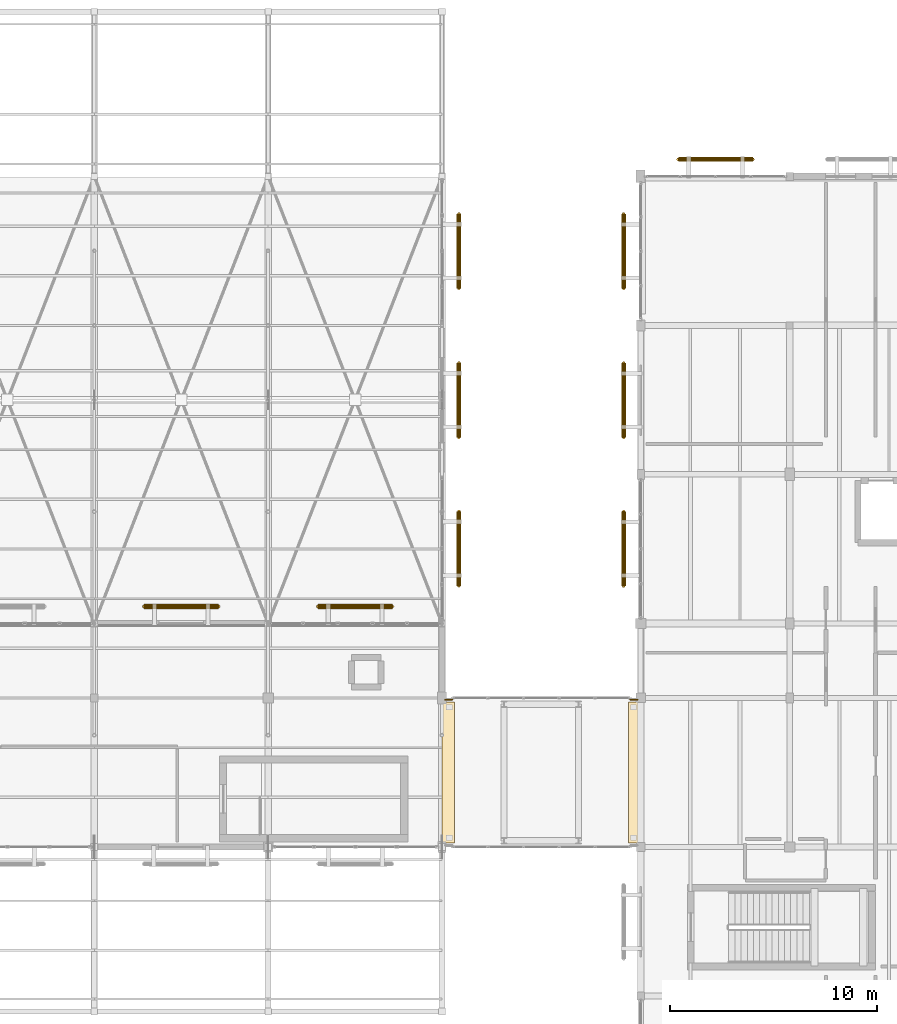
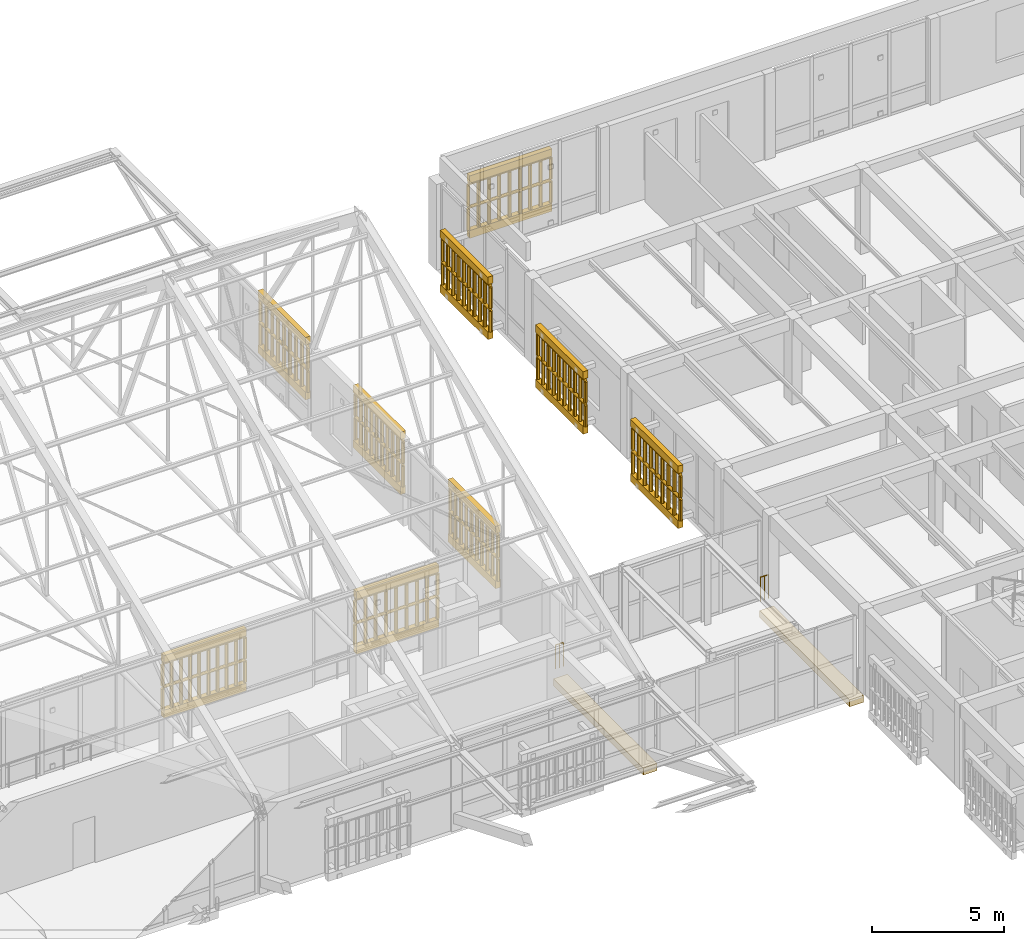
# One storey, part 209 of 217: 20 coverings, 20 railings.
"""IFC4 building model written with IfcOpenShell, lengths in metres."""

from ifc_helpers import new_model, si_unit, direction, frame, origin, origin_2d, place, context, subcontext, project, spatial, polyline, circle, outline, extrude, material, layer, layer_set, type_object, element, save


model = new_model("IFC4")

# Units and contexts
model_context = context("Model", 3, precision=1e-05, world=origin(), true_north=direction((0.0, 1.0)))
body_context = subcontext(model_context, "Body", "Model", "MODEL_VIEW")
ifc_project = project(units=[si_unit("LENGTHUNIT", "METRE"), si_unit("AREAUNIT", "SQUARE_METRE"), si_unit("VOLUMEUNIT", "CUBIC_METRE"), si_unit("PLANEANGLEUNIT", "RADIAN"), si_unit("MASSUNIT", "GRAM", prefix="KILO")], contexts=[model_context])

# Site, building, storey
site_placement = place(None, origin())
site = spatial("IfcSite", under=ifc_project, at=site_placement, CompositionType="ELEMENT")
building_placement = place(site_placement, origin())
building = spatial("IfcBuilding", under=site, at=building_placement, Name="Mazaris Harbour Polytechnic", CompositionType="ELEMENT")
storey_placement = place(building_placement, frame((0.0, 0.0, 9.60009765625)))
storey = spatial("IfcBuildingStorey", under=building, at=storey_placement, Name="L02", CompositionType="ELEMENT", Elevation=9.60009765625)

# Coverings
ifc_material_1 = material(Name="Concrete C40/50", Category="concrete")
ifc_layer_1 = layer(ifc_material_1, 0.320068359375, Name="Concrete C40/50")
ifc_layer_set_1 = layer_set([ifc_layer_1], Name="Concrete C40/50")
covering_type_1 = type_object("IfcCoveringType", Name="Bridge Bearing Corbel 600 Exterior", PredefinedType="CLADDING", material=ifc_layer_set_1)
covering_1_placement = place(storey_placement, frame((0.0, 0.0, -0.650146484375)))
element("IfcCovering", 1, at=covering_1_placement, inside=storey, type_object=covering_type_1, Name="PB-E2 L02 600mm Bridge Bearing Seat Corbel W", PredefinedType="CLADDING", context=body_context, shape_type="SweptSolid", body=[
    extrude(outline(polyline([(112.800048828125, 75.800048828125), (113.39990234375, 75.800048828125), (113.39990234375, 82.60009765625), (112.800048828125, 82.60009765625), (112.800048828125, 75.800048828125)])), origin(), (0.0, 0.0, 1.0), 0.320068359375),
])
covering_2_placement = place(storey_placement, frame((0.0, 0.0, -0.650146484375)))
element("IfcCovering", 2, at=covering_2_placement, inside=storey, type_object=covering_type_1, Name="PB-E2 L02 600mm Bridge Bearing Seat Corbel E", PredefinedType="CLADDING", context=body_context, shape_type="SweptSolid", body=[
    extrude(outline(polyline([(121.800048828125, 75.800048828125), (122.39990234375, 75.800048828125), (122.39990234375, 82.60009765625), (121.800048828125, 82.60009765625), (121.800048828125, 75.800048828125)])), origin(), (0.0, 0.0, 1.0), 0.320068359375),
])

# Railings
ifc_material_2 = material(Name="Steel S355", Category="steel")
railing_type_1 = type_object("IfcRailingType", Name="Mezzanine Steel Guardrail 1100 Exterior", PredefinedType="GUARDRAIL", material=ifc_material_2)
for number, where, name in (
    (3, (112.949951171875, 82.719970703125, 0.0), "PB-E2 L02 Bridge End Guard W1"),
    (4, (121.89990234375, 82.719970703125, 0.0), "PB-E2 L02 Bridge End Guard E1"),
):
    element("IfcRailing", number, at=place(storey_placement, frame(where)), inside=storey, type_object=railing_type_1, Name=name, PredefinedType="GUARDRAIL", context=body_context, shape_type="SweptSolid", body=[
        extrude(circle(Radius=0.02392578125, at=origin_2d()), frame((0.0, 0.0, 1.09619140625), z_axis=(1.0, 0.0, 0.0), x_axis=(0.0, 1.0, 0.0)), (0.0, 0.0, 1.0), 0.35009765625),
        extrude(circle(Radius=0.02099609375, at=origin_2d()), origin(), (0.0, 0.0, 1.0), 1.072021484375),
        extrude(circle(Radius=0.02099609375, at=origin_2d()), frame((0.175048828125, 0.0, 0.0)), (0.0, 0.0, 1.0), 1.072021484375),
        extrude(circle(Radius=0.02099609375, at=origin_2d()), frame((0.35009765625, 0.0, 0.0)), (0.0, 0.0, 1.0), 1.072021484375),
    ])
ifc_material_3 = material(Name="Perforated Earth-Coloured Terracotta Block", Category="masonry")
railing_type_2 = type_object("IfcRailingType", Name="Perforated Earth-Block Claustra Lattice 1040", PredefinedType="BALUSTRADE", material=ifc_material_3)
for number, where, name in (
    (5, (98.39990234375, 87.219970703125, 0.52001953125), "V1 L02 Lower Perforated Terracotta Block Screen 35"),
    (6, (98.39990234375, 87.219970703125, 1.60986328125), "V1 L02 Upper Perforated Terracotta Block Screen 35"),
):
    element("IfcRailing", number, at=place(storey_placement, frame(where)), inside=storey, type_object=railing_type_2, Name=name, PredefinedType="BALUSTRADE", context=body_context, shape_type="SweptSolid", body=[
        extrude(circle(Radius=0.06982421875, at=origin_2d()), frame((0.0, 0.0, 1.02001953125), z_axis=(1.0, 0.0, 0.0), x_axis=(0.0, 1.0, 0.0)), (0.0, 0.0, 1.0), 3.60009765625),
        extrude(circle(Radius=0.074951171875, at=origin_2d()), origin(), (0.0, 0.0, 1.0), 0.9501953125),
        extrude(circle(Radius=0.074951171875, at=origin_2d()), frame((0.39990234375, 0.0, 0.0)), (0.0, 0.0, 1.0), 0.9501953125),
        extrude(circle(Radius=0.074951171875, at=origin_2d()), frame((0.800048828125, 0.0, 0.0)), (0.0, 0.0, 1.0), 0.9501953125),
        extrude(circle(Radius=0.074951171875, at=origin_2d()), frame((1.199951171875, 0.0, 0.0)), (0.0, 0.0, 1.0), 0.9501953125),
        extrude(circle(Radius=0.074951171875, at=origin_2d()), frame((1.60009765625, 0.0, 0.0)), (0.0, 0.0, 1.0), 0.9501953125),
        extrude(circle(Radius=0.074951171875, at=origin_2d()), frame((2.0, 0.0, 0.0)), (0.0, 0.0, 1.0), 0.9501953125),
        extrude(circle(Radius=0.074951171875, at=origin_2d()), frame((2.400146484375, 0.0, 0.0)), (0.0, 0.0, 1.0), 0.9501953125),
        extrude(circle(Radius=0.074951171875, at=origin_2d()), frame((2.800048828125, 0.0, 0.0)), (0.0, 0.0, 1.0), 0.9501953125),
        extrude(circle(Radius=0.074951171875, at=origin_2d()), frame((3.2001953125, 0.0, 0.0)), (0.0, 0.0, 1.0), 0.9501953125),
        extrude(circle(Radius=0.074951171875, at=origin_2d()), frame((3.60009765625, 0.0, 0.0)), (0.0, 0.0, 1.0), 0.9501953125),
    ])
for number, where, name in (
    (7, (106.800048828125, 87.219970703125, 0.52001953125), "V1 L02 Lower Perforated Terracotta Block Screen 36"),
    (8, (106.800048828125, 87.219970703125, 1.60986328125), "V1 L02 Upper Perforated Terracotta Block Screen 36"),
):
    element("IfcRailing", number, at=place(storey_placement, frame(where)), inside=storey, type_object=railing_type_2, Name=name, PredefinedType="BALUSTRADE", context=body_context, shape_type="SweptSolid", body=[
        extrude(circle(Radius=0.06982421875, at=origin_2d()), frame((0.0, 0.0, 1.02001953125), z_axis=(1.0, 0.0, 0.0), x_axis=(0.0, 1.0, 0.0)), (0.0, 0.0, 1.0), 3.599853515625),
        extrude(circle(Radius=0.074951171875, at=origin_2d()), origin(), (0.0, 0.0, 1.0), 0.9501953125),
        extrude(circle(Radius=0.074951171875, at=origin_2d()), frame((0.449951171875, 0.0, 0.0)), (0.0, 0.0, 1.0), 0.9501953125),
        extrude(circle(Radius=0.074951171875, at=origin_2d()), frame((0.89990234375, 0.0, 0.0)), (0.0, 0.0, 1.0), 0.9501953125),
        extrude(circle(Radius=0.074951171875, at=origin_2d()), frame((1.349853515625, 0.0, 0.0)), (0.0, 0.0, 1.0), 0.9501953125),
        extrude(circle(Radius=0.074951171875, at=origin_2d()), frame((1.7998046875, 0.0, 0.0)), (0.0, 0.0, 1.0), 0.9501953125),
        extrude(circle(Radius=0.074951171875, at=origin_2d()), frame((2.25, 0.0, 0.0)), (0.0, 0.0, 1.0), 0.9501953125),
        extrude(circle(Radius=0.074951171875, at=origin_2d()), frame((2.699951171875, 0.0, 0.0)), (0.0, 0.0, 1.0), 0.9501953125),
        extrude(circle(Radius=0.074951171875, at=origin_2d()), frame((3.14990234375, 0.0, 0.0)), (0.0, 0.0, 1.0), 0.9501953125),
        extrude(circle(Radius=0.074951171875, at=origin_2d()), frame((3.599853515625, 0.0, 0.0)), (0.0, 0.0, 1.0), 0.9501953125),
    ])
for number, where, name in (
    (9, (113.6201171875, 91.820068359375, 0.52001953125), "V1 L02 Lower Perforated Terracotta Block Screen 40"),
    (10, (113.6201171875, 91.820068359375, 1.60986328125), "V1 L02 Upper Perforated Terracotta Block Screen 40"),
    (11, (113.6201171875, 98.989990234375, 0.52001953125), "V1 L02 Lower Perforated Terracotta Block Screen 41"),
    (12, (113.6201171875, 98.989990234375, 1.60986328125), "V1 L02 Upper Perforated Terracotta Block Screen 41"),
):
    element("IfcRailing", number, at=place(storey_placement, frame(where)), inside=storey, type_object=railing_type_2, Name=name, PredefinedType="BALUSTRADE", context=body_context, shape_type="SweptSolid", body=[
        extrude(circle(Radius=0.06982421875, at=origin_2d()), frame((0.0, 0.0, 1.02001953125), z_axis=(0.0, -1.0, 0.0), x_axis=(1.0, 0.0, 0.0)), (0.0, 0.0, 1.0), 3.60009765625),
        extrude(circle(Radius=0.074951171875, at=origin_2d()), origin(), (0.0, 0.0, 1.0), 0.9501953125),
        extrude(circle(Radius=0.074951171875, at=origin_2d()), frame((0.0, -0.39990234375, 0.0)), (0.0, 0.0, 1.0), 0.9501953125),
        extrude(circle(Radius=0.074951171875, at=origin_2d()), frame((0.0, -0.800048828125, 0.0)), (0.0, 0.0, 1.0), 0.9501953125),
        extrude(circle(Radius=0.074951171875, at=origin_2d()), frame((0.0, -1.199951171875, 0.0)), (0.0, 0.0, 1.0), 0.9501953125),
        extrude(circle(Radius=0.074951171875, at=origin_2d()), frame((0.0, -1.60009765625, 0.0)), (0.0, 0.0, 1.0), 0.9501953125),
        extrude(circle(Radius=0.074951171875, at=origin_2d()), frame((0.0, -2.0, 0.0)), (0.0, 0.0, 1.0), 0.9501953125),
        extrude(circle(Radius=0.074951171875, at=origin_2d()), frame((0.0, -2.400146484375, 0.0)), (0.0, 0.0, 1.0), 0.9501953125),
        extrude(circle(Radius=0.074951171875, at=origin_2d()), frame((0.0, -2.800048828125, 0.0)), (0.0, 0.0, 1.0), 0.9501953125),
        extrude(circle(Radius=0.074951171875, at=origin_2d()), frame((0.0, -3.2001953125, 0.0)), (0.0, 0.0, 1.0), 0.9501953125),
        extrude(circle(Radius=0.074951171875, at=origin_2d()), frame((0.0, -3.60009765625, 0.0)), (0.0, 0.0, 1.0), 0.9501953125),
    ])
for number, where, name in (
    (13, (113.6201171875, 106.18994140625, 0.52001953125), "V1 L02 Lower Perforated Terracotta Block Screen 42"),
    (14, (113.6201171875, 106.18994140625, 1.60986328125), "V1 L02 Upper Perforated Terracotta Block Screen 42"),
):
    element("IfcRailing", number, at=place(storey_placement, frame(where)), inside=storey, type_object=railing_type_2, Name=name, PredefinedType="BALUSTRADE", context=body_context, shape_type="SweptSolid", body=[
        extrude(circle(Radius=0.06982421875, at=origin_2d()), frame((0.0, 0.0, 1.02001953125), z_axis=(0.0, -1.0, 0.0), x_axis=(1.0, 0.0, 0.0)), (0.0, 0.0, 1.0), 3.599853515625),
        extrude(circle(Radius=0.074951171875, at=origin_2d()), origin(), (0.0, 0.0, 1.0), 0.9501953125),
        extrude(circle(Radius=0.074951171875, at=origin_2d()), frame((0.0, -0.449951171875, 0.0)), (0.0, 0.0, 1.0), 0.9501953125),
        extrude(circle(Radius=0.074951171875, at=origin_2d()), frame((0.0, -0.89990234375, 0.0)), (0.0, 0.0, 1.0), 0.9501953125),
        extrude(circle(Radius=0.074951171875, at=origin_2d()), frame((0.0, -1.349853515625, 0.0)), (0.0, 0.0, 1.0), 0.9501953125),
        extrude(circle(Radius=0.074951171875, at=origin_2d()), frame((0.0, -1.7998046875, 0.0)), (0.0, 0.0, 1.0), 0.9501953125),
        extrude(circle(Radius=0.074951171875, at=origin_2d()), frame((0.0, -2.25, 0.0)), (0.0, 0.0, 1.0), 0.9501953125),
        extrude(circle(Radius=0.074951171875, at=origin_2d()), frame((0.0, -2.699951171875, 0.0)), (0.0, 0.0, 1.0), 0.9501953125),
        extrude(circle(Radius=0.074951171875, at=origin_2d()), frame((0.0, -3.14990234375, 0.0)), (0.0, 0.0, 1.0), 0.9501953125),
        extrude(circle(Radius=0.074951171875, at=origin_2d()), frame((0.0, -3.599853515625, 0.0)), (0.0, 0.0, 1.0), 0.9501953125),
    ])
for number, where, name in (
    (15, (124.215087890625, 108.820068359375, 0.52001953125), "V5 L02 Lower Perforated Terracotta Block Screen 412"),
    (16, (124.215087890625, 108.820068359375, 1.60986328125), "V5 L02 Upper Perforated Terracotta Block Screen 412"),
):
    element("IfcRailing", number, at=place(storey_placement, frame(where)), inside=storey, type_object=railing_type_2, Name=name, PredefinedType="BALUSTRADE", context=body_context, shape_type="SweptSolid", body=[
        extrude(circle(Radius=0.06982421875, at=origin_2d()), frame((0.0, 0.0, 1.02001953125), z_axis=(1.0, 0.0, 0.0), x_axis=(0.0, 1.0, 0.0)), (0.0, 0.0, 1.0), 3.599853515625),
        extrude(circle(Radius=0.074951171875, at=origin_2d()), origin(), (0.0, 0.0, 1.0), 0.9501953125),
        extrude(circle(Radius=0.074951171875, at=origin_2d()), frame((0.449951171875, 0.0, 0.0)), (0.0, 0.0, 1.0), 0.9501953125),
        extrude(circle(Radius=0.074951171875, at=origin_2d()), frame((0.89990234375, 0.0, 0.0)), (0.0, 0.0, 1.0), 0.9501953125),
        extrude(circle(Radius=0.074951171875, at=origin_2d()), frame((1.349853515625, 0.0, 0.0)), (0.0, 0.0, 1.0), 0.9501953125),
        extrude(circle(Radius=0.074951171875, at=origin_2d()), frame((1.7998046875, 0.0, 0.0)), (0.0, 0.0, 1.0), 0.9501953125),
        extrude(circle(Radius=0.074951171875, at=origin_2d()), frame((2.25, 0.0, 0.0)), (0.0, 0.0, 1.0), 0.9501953125),
        extrude(circle(Radius=0.074951171875, at=origin_2d()), frame((2.699951171875, 0.0, 0.0)), (0.0, 0.0, 1.0), 0.9501953125),
        extrude(circle(Radius=0.074951171875, at=origin_2d()), frame((3.14990234375, 0.0, 0.0)), (0.0, 0.0, 1.0), 0.9501953125),
        extrude(circle(Radius=0.074951171875, at=origin_2d()), frame((3.599853515625, 0.0, 0.0)), (0.0, 0.0, 1.0), 0.9501953125),
    ])
for number, where, name in (
    (17, (121.580078125, 88.205078125, 0.52001953125), "V5 L02 Lower Perforated Terracotta Block Screen 423"),
    (18, (121.580078125, 88.205078125, 1.60986328125), "V5 L02 Upper Perforated Terracotta Block Screen 423"),
):
    element("IfcRailing", number, at=place(storey_placement, frame(where)), inside=storey, type_object=railing_type_2, Name=name, PredefinedType="BALUSTRADE", context=body_context, shape_type="SweptSolid", body=[
        extrude(circle(Radius=0.06982421875, at=origin_2d()), frame((0.0, 0.0, 1.02001953125), z_axis=(0.0, 1.0, 0.0), x_axis=(-1.0, 0.0, 0.0)), (0.0, 0.0, 1.0), 3.599853515625),
        extrude(circle(Radius=0.074951171875, at=origin_2d()), origin(), (0.0, 0.0, 1.0), 0.9501953125),
        extrude(circle(Radius=0.074951171875, at=origin_2d()), frame((0.0, 0.449951171875, 0.0)), (0.0, 0.0, 1.0), 0.9501953125),
        extrude(circle(Radius=0.074951171875, at=origin_2d()), frame((0.0, 0.89990234375, 0.0)), (0.0, 0.0, 1.0), 0.9501953125),
        extrude(circle(Radius=0.074951171875, at=origin_2d()), frame((0.0, 1.349853515625, 0.0)), (0.0, 0.0, 1.0), 0.9501953125),
        extrude(circle(Radius=0.074951171875, at=origin_2d()), frame((0.0, 1.7998046875, 0.0)), (0.0, 0.0, 1.0), 0.9501953125),
        extrude(circle(Radius=0.074951171875, at=origin_2d()), frame((0.0, 2.25, 0.0)), (0.0, 0.0, 1.0), 0.9501953125),
        extrude(circle(Radius=0.074951171875, at=origin_2d()), frame((0.0, 2.699951171875, 0.0)), (0.0, 0.0, 1.0), 0.9501953125),
        extrude(circle(Radius=0.074951171875, at=origin_2d()), frame((0.0, 3.14990234375, 0.0)), (0.0, 0.0, 1.0), 0.9501953125),
        extrude(circle(Radius=0.074951171875, at=origin_2d()), frame((0.0, 3.599853515625, 0.0)), (0.0, 0.0, 1.0), 0.9501953125),
    ])
for number, where, name in (
    (19, (121.580078125, 95.385009765625, 0.52001953125), "V5 L02 Lower Perforated Terracotta Block Screen 424"),
    (20, (121.580078125, 95.385009765625, 1.60986328125), "V5 L02 Upper Perforated Terracotta Block Screen 424"),
    (21, (121.580078125, 102.5849609375, 0.52001953125), "V5 L02 Lower Perforated Terracotta Block Screen 425"),
    (22, (121.580078125, 102.5849609375, 1.60986328125), "V5 L02 Upper Perforated Terracotta Block Screen 425"),
):
    element("IfcRailing", number, at=place(storey_placement, frame(where)), inside=storey, type_object=railing_type_2, Name=name, PredefinedType="BALUSTRADE", context=body_context, shape_type="SweptSolid", body=[
        extrude(circle(Radius=0.06982421875, at=origin_2d()), frame((0.0, 0.0, 1.02001953125), z_axis=(0.0, 1.0, 0.0), x_axis=(-1.0, 0.0, 0.0)), (0.0, 0.0, 1.0), 3.60009765625),
        extrude(circle(Radius=0.074951171875, at=origin_2d()), origin(), (0.0, 0.0, 1.0), 0.9501953125),
        extrude(circle(Radius=0.074951171875, at=origin_2d()), frame((0.0, 0.39990234375, 0.0)), (0.0, 0.0, 1.0), 0.9501953125),
        extrude(circle(Radius=0.074951171875, at=origin_2d()), frame((0.0, 0.800048828125, 0.0)), (0.0, 0.0, 1.0), 0.9501953125),
        extrude(circle(Radius=0.074951171875, at=origin_2d()), frame((0.0, 1.199951171875, 0.0)), (0.0, 0.0, 1.0), 0.9501953125),
        extrude(circle(Radius=0.074951171875, at=origin_2d()), frame((0.0, 1.60009765625, 0.0)), (0.0, 0.0, 1.0), 0.9501953125),
        extrude(circle(Radius=0.074951171875, at=origin_2d()), frame((0.0, 2.0, 0.0)), (0.0, 0.0, 1.0), 0.9501953125),
        extrude(circle(Radius=0.074951171875, at=origin_2d()), frame((0.0, 2.400146484375, 0.0)), (0.0, 0.0, 1.0), 0.9501953125),
        extrude(circle(Radius=0.074951171875, at=origin_2d()), frame((0.0, 2.800048828125, 0.0)), (0.0, 0.0, 1.0), 0.9501953125),
        extrude(circle(Radius=0.074951171875, at=origin_2d()), frame((0.0, 3.2001953125, 0.0)), (0.0, 0.0, 1.0), 0.9501953125),
        extrude(circle(Radius=0.074951171875, at=origin_2d()), frame((0.0, 3.60009765625, 0.0)), (0.0, 0.0, 1.0), 0.9501953125),
    ])

# Coverings
ifc_material_4 = material(Name="Perforated Earth-Coloured Terracotta Block", Category="masonry")
ifc_layer_2 = layer(ifc_material_4, 0.219970703125, Name="Perforated Earth-Coloured Terracotta Block")
ifc_layer_set_2 = layer_set([ifc_layer_2], Name="Perforated Earth-Coloured Terracotta Block")
covering_type_2 = type_object("IfcCoveringType", Name="Terracotta Screen Course Cladding 220", PredefinedType="CLADDING", material=ifc_layer_set_2)
covering_3_placement = place(storey_placement, frame((0.0, 0.0, 0.159912109375)))
element("IfcCovering", 23, at=covering_3_placement, inside=storey, type_object=covering_type_2, Name="V1 L02 Perforated Screen Sill Course 35", PredefinedType="CLADDING", context=body_context, shape_type="SweptSolid", body=[
    extrude(outline(polyline([(98.39990234375, 87.110107421875), (102.0, 87.110107421875), (102.0, 87.330078125), (98.39990234375, 87.330078125), (98.39990234375, 87.110107421875)])), origin(), (0.0, 0.0, 1.0), 0.360107421875),
])
covering_4_placement = place(storey_placement, frame((0.0, 0.0, 2.699951171875)))
element("IfcCovering", 24, at=covering_4_placement, inside=storey, type_object=covering_type_2, Name="V1 L02 Perforated Screen Lintel Course 35", PredefinedType="CLADDING", context=body_context, shape_type="SweptSolid", body=[
    extrude(outline(polyline([(98.39990234375, 87.110107421875), (102.0, 87.110107421875), (102.0, 87.330078125), (98.39990234375, 87.330078125), (98.39990234375, 87.110107421875)])), origin(), (0.0, 0.0, 1.0), 0.33984375),
])
covering_5_placement = place(storey_placement, frame((0.0, 0.0, 0.159912109375)))
element("IfcCovering", 25, at=covering_5_placement, inside=storey, type_object=covering_type_2, Name="V1 L02 Perforated Screen Sill Course 36", PredefinedType="CLADDING", context=body_context, shape_type="SweptSolid", body=[
    extrude(outline(polyline([(106.800048828125, 87.110107421875), (110.39990234375, 87.110107421875), (110.39990234375, 87.330078125), (106.800048828125, 87.330078125), (106.800048828125, 87.110107421875)])), origin(), (0.0, 0.0, 1.0), 0.360107421875),
])
covering_6_placement = place(storey_placement, frame((0.0, 0.0, 2.699951171875)))
element("IfcCovering", 26, at=covering_6_placement, inside=storey, type_object=covering_type_2, Name="V1 L02 Perforated Screen Lintel Course 36", PredefinedType="CLADDING", context=body_context, shape_type="SweptSolid", body=[
    extrude(outline(polyline([(106.800048828125, 87.110107421875), (110.39990234375, 87.110107421875), (110.39990234375, 87.330078125), (106.800048828125, 87.330078125), (106.800048828125, 87.110107421875)])), origin(), (0.0, 0.0, 1.0), 0.33984375),
])
covering_7_placement = place(storey_placement, frame((0.0, 0.0, 0.159912109375)))
element("IfcCovering", 27, at=covering_7_placement, inside=storey, type_object=covering_type_2, Name="V1 L02 Perforated Screen Sill Course 40", PredefinedType="CLADDING", context=body_context, shape_type="SweptSolid", body=[
    extrude(outline(polyline([(113.510009765625, 91.820068359375), (113.510009765625, 88.219970703125), (113.72998046875, 88.219970703125), (113.72998046875, 91.820068359375), (113.510009765625, 91.820068359375)])), origin(), (0.0, 0.0, 1.0), 0.360107421875),
])
covering_8_placement = place(storey_placement, frame((0.0, 0.0, 2.699951171875)))
element("IfcCovering", 28, at=covering_8_placement, inside=storey, type_object=covering_type_2, Name="V1 L02 Perforated Screen Lintel Course 40", PredefinedType="CLADDING", context=body_context, shape_type="SweptSolid", body=[
    extrude(outline(polyline([(113.510009765625, 91.820068359375), (113.510009765625, 88.219970703125), (113.72998046875, 88.219970703125), (113.72998046875, 91.820068359375), (113.510009765625, 91.820068359375)])), origin(), (0.0, 0.0, 1.0), 0.33984375),
])
covering_9_placement = place(storey_placement, frame((0.0, 0.0, 0.159912109375)))
element("IfcCovering", 29, at=covering_9_placement, inside=storey, type_object=covering_type_2, Name="V1 L02 Perforated Screen Sill Course 41", PredefinedType="CLADDING", context=body_context, shape_type="SweptSolid", body=[
    extrude(outline(polyline([(113.510009765625, 98.989990234375), (113.510009765625, 95.389892578125), (113.72998046875, 95.389892578125), (113.72998046875, 98.989990234375), (113.510009765625, 98.989990234375)])), origin(), (0.0, 0.0, 1.0), 0.360107421875),
])
covering_10_placement = place(storey_placement, frame((0.0, 0.0, 2.699951171875)))
element("IfcCovering", 30, at=covering_10_placement, inside=storey, type_object=covering_type_2, Name="V1 L02 Perforated Screen Lintel Course 41", PredefinedType="CLADDING", context=body_context, shape_type="SweptSolid", body=[
    extrude(outline(polyline([(113.510009765625, 98.989990234375), (113.510009765625, 95.389892578125), (113.72998046875, 95.389892578125), (113.72998046875, 98.989990234375), (113.510009765625, 98.989990234375)])), origin(), (0.0, 0.0, 1.0), 0.33984375),
])
covering_11_placement = place(storey_placement, frame((0.0, 0.0, 0.159912109375)))
element("IfcCovering", 31, at=covering_11_placement, inside=storey, type_object=covering_type_2, Name="V1 L02 Perforated Screen Sill Course 42", PredefinedType="CLADDING", context=body_context, shape_type="SweptSolid", body=[
    extrude(outline(polyline([(113.510009765625, 106.18994140625), (113.510009765625, 102.590087890625), (113.72998046875, 102.590087890625), (113.72998046875, 106.18994140625), (113.510009765625, 106.18994140625)])), origin(), (0.0, 0.0, 1.0), 0.360107421875),
])
covering_12_placement = place(storey_placement, frame((0.0, 0.0, 2.699951171875)))
element("IfcCovering", 32, at=covering_12_placement, inside=storey, type_object=covering_type_2, Name="V1 L02 Perforated Screen Lintel Course 42", PredefinedType="CLADDING", context=body_context, shape_type="SweptSolid", body=[
    extrude(outline(polyline([(113.510009765625, 106.18994140625), (113.510009765625, 102.590087890625), (113.72998046875, 102.590087890625), (113.72998046875, 106.18994140625), (113.510009765625, 106.18994140625)])), origin(), (0.0, 0.0, 1.0), 0.33984375),
])
covering_13_placement = place(storey_placement, frame((0.0, 0.0, 0.159912109375)))
element("IfcCovering", 33, at=covering_13_placement, inside=storey, type_object=covering_type_2, Name="V5 L02 Perforated Screen Sill Course 412", PredefinedType="CLADDING", context=body_context, shape_type="SweptSolid", body=[
    extrude(outline(polyline([(124.215087890625, 108.7099609375), (127.81494140625, 108.7099609375), (127.81494140625, 108.929931640625), (124.215087890625, 108.929931640625), (124.215087890625, 108.7099609375)])), origin(), (0.0, 0.0, 1.0), 0.360107421875),
])
covering_14_placement = place(storey_placement, frame((0.0, 0.0, 2.699951171875)))
element("IfcCovering", 34, at=covering_14_placement, inside=storey, type_object=covering_type_2, Name="V5 L02 Perforated Screen Lintel Course 412", PredefinedType="CLADDING", context=body_context, shape_type="SweptSolid", body=[
    extrude(outline(polyline([(124.215087890625, 108.7099609375), (127.81494140625, 108.7099609375), (127.81494140625, 108.929931640625), (124.215087890625, 108.929931640625), (124.215087890625, 108.7099609375)])), origin(), (0.0, 0.0, 1.0), 0.33984375),
])
covering_15_placement = place(storey_placement, frame((0.0, 0.0, 0.159912109375)))
element("IfcCovering", 35, at=covering_15_placement, inside=storey, type_object=covering_type_2, Name="V5 L02 Perforated Screen Sill Course 423", PredefinedType="CLADDING", context=body_context, shape_type="SweptSolid", body=[
    extrude(outline(polyline([(121.68994140625, 88.205078125), (121.68994140625, 91.804931640625), (121.469970703125, 91.804931640625), (121.469970703125, 88.205078125), (121.68994140625, 88.205078125)])), origin(), (0.0, 0.0, 1.0), 0.360107421875),
])
covering_16_placement = place(storey_placement, frame((0.0, 0.0, 2.699951171875)))
element("IfcCovering", 36, at=covering_16_placement, inside=storey, type_object=covering_type_2, Name="V5 L02 Perforated Screen Lintel Course 423", PredefinedType="CLADDING", context=body_context, shape_type="SweptSolid", body=[
    extrude(outline(polyline([(121.68994140625, 88.205078125), (121.68994140625, 91.804931640625), (121.469970703125, 91.804931640625), (121.469970703125, 88.205078125), (121.68994140625, 88.205078125)])), origin(), (0.0, 0.0, 1.0), 0.33984375),
])
covering_17_placement = place(storey_placement, frame((0.0, 0.0, 0.159912109375)))
element("IfcCovering", 37, at=covering_17_placement, inside=storey, type_object=covering_type_2, Name="V5 L02 Perforated Screen Sill Course 424", PredefinedType="CLADDING", context=body_context, shape_type="SweptSolid", body=[
    extrude(outline(polyline([(121.68994140625, 95.385009765625), (121.68994140625, 98.985107421875), (121.469970703125, 98.985107421875), (121.469970703125, 95.385009765625), (121.68994140625, 95.385009765625)])), origin(), (0.0, 0.0, 1.0), 0.360107421875),
])
covering_18_placement = place(storey_placement, frame((0.0, 0.0, 2.699951171875)))
element("IfcCovering", 38, at=covering_18_placement, inside=storey, type_object=covering_type_2, Name="V5 L02 Perforated Screen Lintel Course 424", PredefinedType="CLADDING", context=body_context, shape_type="SweptSolid", body=[
    extrude(outline(polyline([(121.68994140625, 95.385009765625), (121.68994140625, 98.985107421875), (121.469970703125, 98.985107421875), (121.469970703125, 95.385009765625), (121.68994140625, 95.385009765625)])), origin(), (0.0, 0.0, 1.0), 0.33984375),
])
covering_19_placement = place(storey_placement, frame((0.0, 0.0, 0.159912109375)))
element("IfcCovering", 39, at=covering_19_placement, inside=storey, type_object=covering_type_2, Name="V5 L02 Perforated Screen Sill Course 425", PredefinedType="CLADDING", context=body_context, shape_type="SweptSolid", body=[
    extrude(outline(polyline([(121.68994140625, 102.5849609375), (121.68994140625, 106.18505859375), (121.469970703125, 106.18505859375), (121.469970703125, 102.5849609375), (121.68994140625, 102.5849609375)])), origin(), (0.0, 0.0, 1.0), 0.360107421875),
])
covering_20_placement = place(storey_placement, frame((0.0, 0.0, 2.699951171875)))
element("IfcCovering", 40, at=covering_20_placement, inside=storey, type_object=covering_type_2, Name="V5 L02 Perforated Screen Lintel Course 425", PredefinedType="CLADDING", context=body_context, shape_type="SweptSolid", body=[
    extrude(outline(polyline([(121.68994140625, 102.5849609375), (121.68994140625, 106.18505859375), (121.469970703125, 106.18505859375), (121.469970703125, 102.5849609375), (121.68994140625, 102.5849609375)])), origin(), (0.0, 0.0, 1.0), 0.33984375),
])

save(model, "model.ifc")
